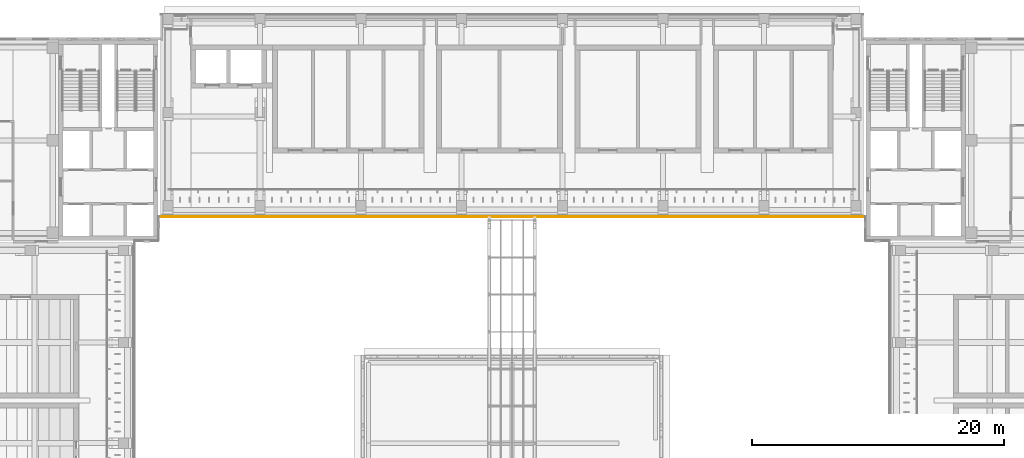
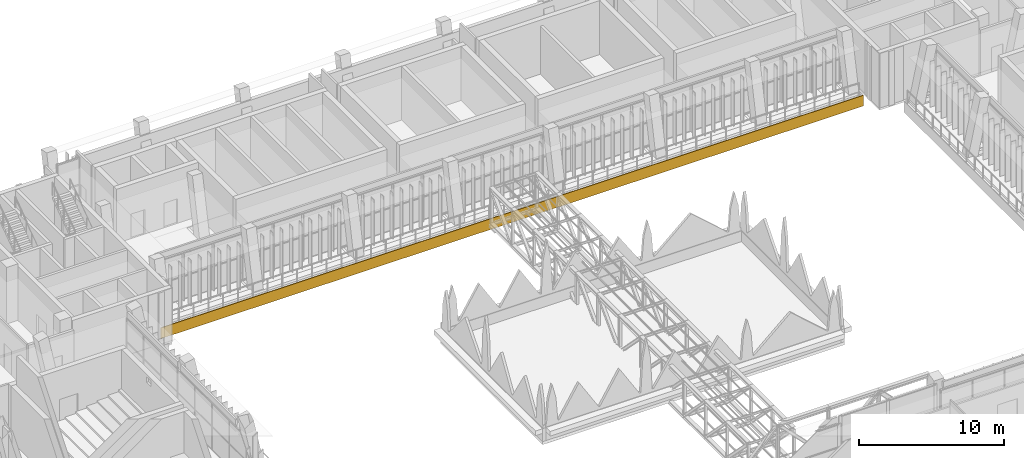
# One storey, part 131 of 141: 1 covering.
"""IFC4 building model written with IfcOpenShell, lengths in metres."""

from ifc_helpers import new_model, si_unit, direction, frame, frame_2d, origin, place, context, subcontext, project, spatial, rectangle, extrude, material, layer, layer_set, type_object, element, save


model = new_model("IFC4")

# Units and contexts
model_context = context("Model", 3, precision=1e-05, world=origin(), true_north=direction((0.0, 1.0)))
body_context = subcontext(model_context, "Body", "Model", "MODEL_VIEW")
ifc_project = project(units=[si_unit("LENGTHUNIT", "METRE"), si_unit("AREAUNIT", "SQUARE_METRE"), si_unit("VOLUMEUNIT", "CUBIC_METRE"), si_unit("PLANEANGLEUNIT", "RADIAN"), si_unit("MASSUNIT", "GRAM", prefix="KILO")], contexts=[model_context])

# Site, building, storey
site_placement = place(None, origin())
site = spatial("IfcSite", under=ifc_project, at=site_placement, CompositionType="ELEMENT")
building_placement = place(site_placement, origin())
building = spatial("IfcBuilding", under=site, at=building_placement, Name="Lantern Court Media Centre", CompositionType="ELEMENT")
storey_placement = place(building_placement, frame((0.0, 0.0, 9.60009765625)))
storey = spatial("IfcBuildingStorey", under=building, at=storey_placement, Name="L02", CompositionType="ELEMENT", Elevation=9.60009765625)

# Covering
ifc_material = material(Name="White glass-fibre reinforced cement cladding", Category="concrete")
ifc_layer = layer(ifc_material, 0.050048828125)
ifc_layer_set = layer_set([ifc_layer], Name="White glass-fibre reinforced cement cladding")
covering_type = type_object("IfcCoveringType", Name="Floor-edge band 50", PredefinedType="CLADDING", material=ifc_layer_set)
covering_placement = place(storey_placement, frame((24.10009765625, 97.97509765625, -0.900146484375), z_axis=(0.0, 0.0, 1.0), x_axis=(1.0, 0.0, 0.0)))
element("IfcCovering", 1, at=covering_placement, inside=storey, type_object=covering_type, Name="Floor-edge band N inner L02", PredefinedType="CLADDING", context=body_context, shape_type="SweptSolid", body=[
    extrude(rectangle(XDim=55.7998046875, YDim=0.050048828125, at=frame_2d((27.89990234375, 0.0))), origin(), (0.0, 0.0, 1.0), 0.900146484375),
])

save(model, "model.ifc")
